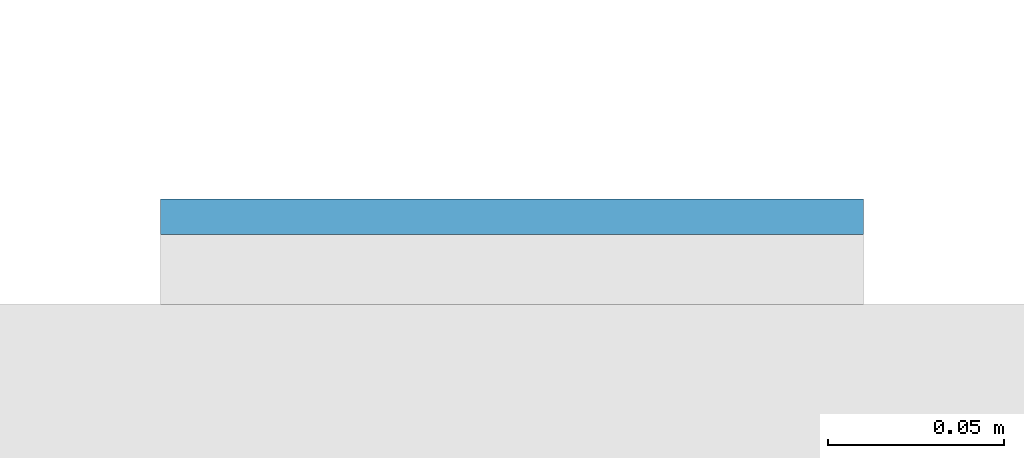
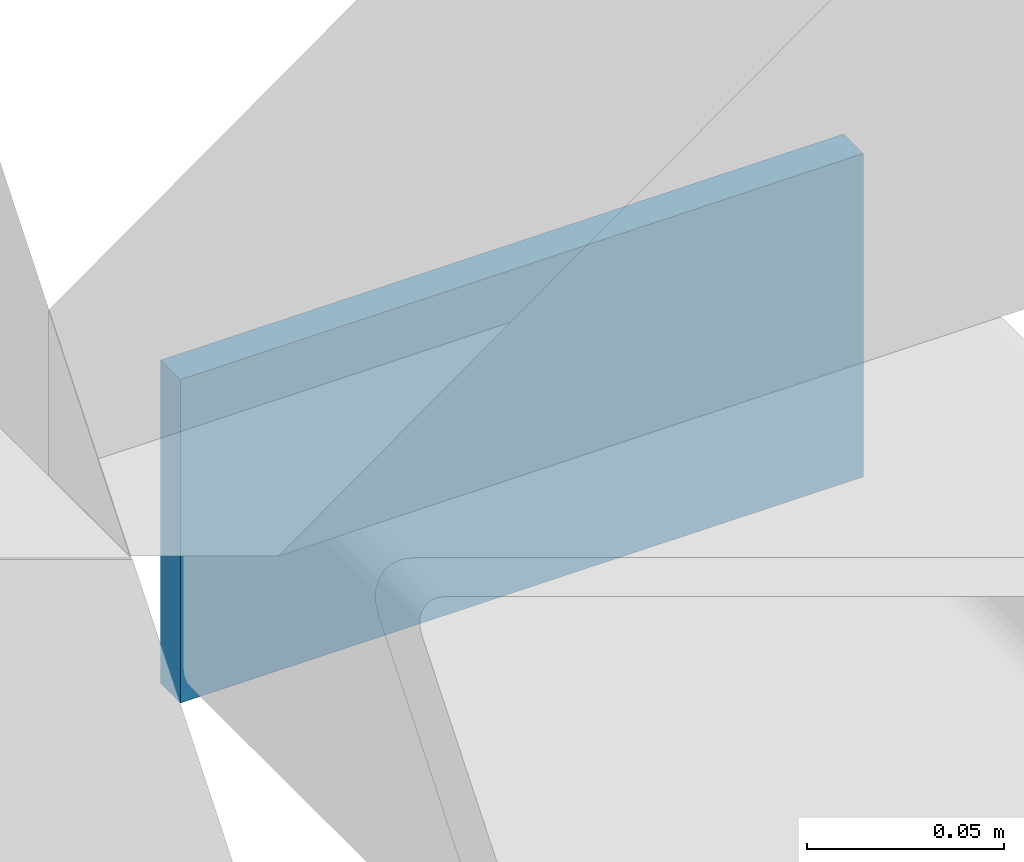
# One storey, part 11 of 20: 1 plate.
"""IFC4 building model written with IfcOpenShell, lengths in metres."""

from ifc_helpers import new_model, si_unit, direction, frame, origin, origin_2d, place, context, subcontext, project, spatial, rectangle, extrude, material, layer, layer_set, type_object, element, save


model = new_model("IFC4")

# Units and contexts
model_context = context("Model", 3, precision=1e-05, world=origin(), true_north=direction((0.0, 1.0)))
body_context = subcontext(model_context, "Body", "Model", "MODEL_VIEW")
ifc_project = project(units=[si_unit("LENGTHUNIT", "METRE"), si_unit("AREAUNIT", "SQUARE_METRE"), si_unit("VOLUMEUNIT", "CUBIC_METRE"), si_unit("PLANEANGLEUNIT", "RADIAN"), si_unit("MASSUNIT", "GRAM", prefix="KILO")], contexts=[model_context])

# Site, building, storey
site_placement = place(None, origin())
site = spatial("IfcSite", under=ifc_project, at=site_placement, CompositionType="ELEMENT")
building_placement = place(site_placement, origin())
building = spatial("IfcBuilding", under=site, at=building_placement, Name="Cleftline Residences", CompositionType="ELEMENT")
storey_placement = place(building_placement, frame((0.0, 0.0, 168.199951171875)))
storey = spatial("IfcBuildingStorey", under=building, at=storey_placement, Name="L44", CompositionType="ELEMENT", Elevation=168.199951171875)

# Plate
ifc_material = material(Name="Steel S355, hot-dip galvanised", Category="steel")
ifc_layer = layer(ifc_material, 0.010009765625)
ifc_layer_set = layer_set([ifc_layer], Name="BAGUETTE CARRIER END PLATE 200X100X10")
plate_type = type_object("IfcPlateType", Name="BAGUETTE CARRIER END PLATE 200X100X10", PredefinedType="USERDEFINED", material=ifc_layer_set)
plate_placement = place(storey_placement, frame((66.85009765625, 44.304931640625, -0.10009765625), z_axis=(0.0, 0.0, 1.0), x_axis=(1.0, 0.0, 0.0)))
element("IfcPlate", 1, at=plate_placement, inside=storey, type_object=plate_type, Name="Baguette carrier end plate", ObjectType="BAGUETTE CARRIER END PLATE", PredefinedType="USERDEFINED", context=body_context, shape_type="SweptSolid", body=[
    extrude(rectangle(XDim=0.199951171875, YDim=0.010009765625, at=origin_2d()), origin(), (0.0, 0.0, 1.0), 0.10009765625),
])

save(model, "model.ifc")
